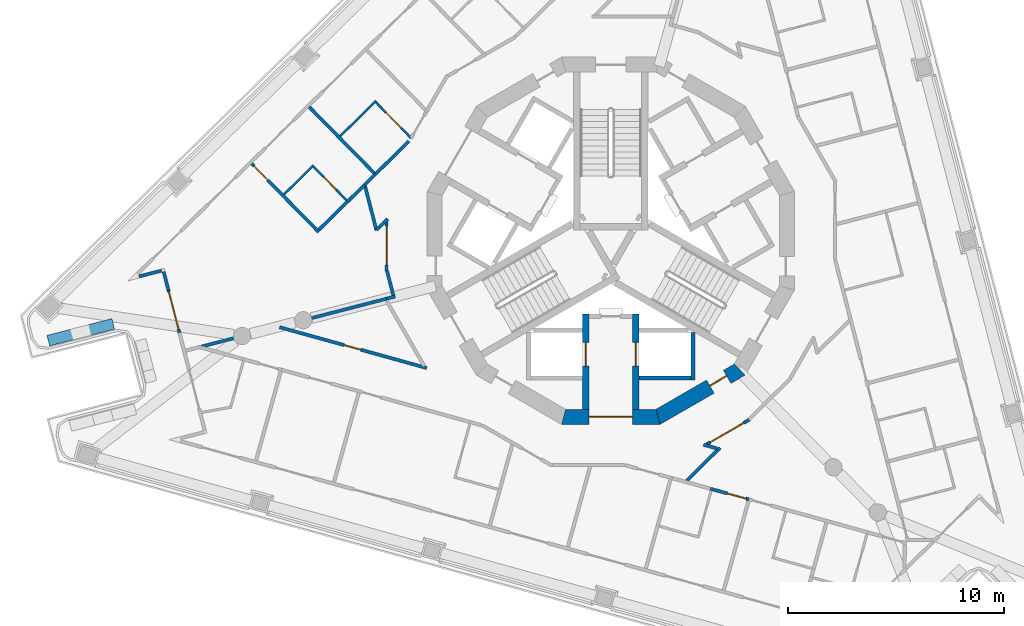
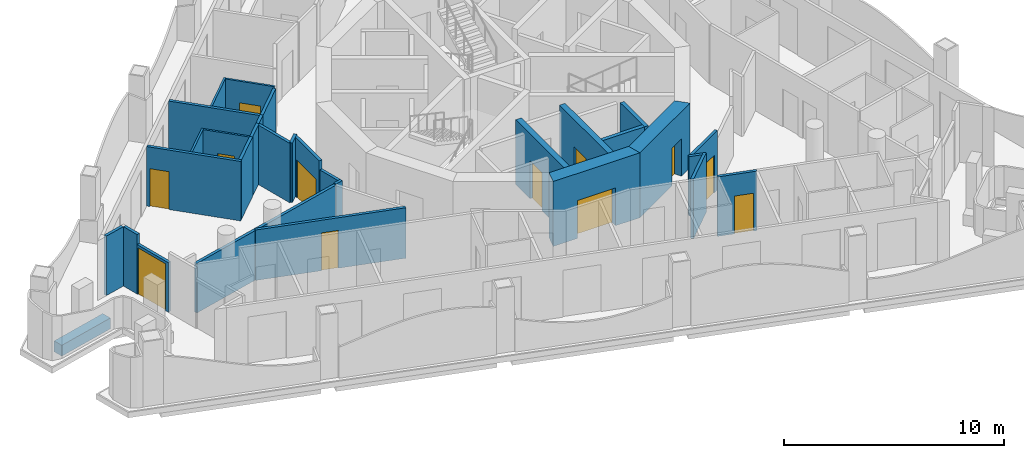
# One storey, part 3 of 14: 31 walls, 12 doors, 12 openings.
"""IFC4 building model written with IfcOpenShell, lengths in metres."""

from ifc_helpers import new_model, si_unit, direction, frame, frame_2d, origin, place, context, subcontext, project, spatial, polyline, rectangle, outline, extrude, material, layer, layer_set, type_object, element, fill, save


model = new_model("IFC4")

# Units and contexts
model_context = context("Model", 3, precision=1e-05, world=origin(), true_north=direction((0.0, 1.0)))
body_context = subcontext(model_context, "Body", "Model", "MODEL_VIEW")
ifc_project = project(units=[si_unit("LENGTHUNIT", "METRE"), si_unit("AREAUNIT", "SQUARE_METRE"), si_unit("VOLUMEUNIT", "CUBIC_METRE"), si_unit("PLANEANGLEUNIT", "RADIAN"), si_unit("MASSUNIT", "GRAM", prefix="KILO")], contexts=[model_context])

# Site, building, storey
site_placement = place(None, origin())
site = spatial("IfcSite", under=ifc_project, at=site_placement, CompositionType="ELEMENT")
building_placement = place(site_placement, origin())
building = spatial("IfcBuilding", under=site, at=building_placement, Name="Trine Commons Tower", CompositionType="ELEMENT")
storey_placement = place(building_placement, frame((0.0, 0.0, 252.89990234375)))
storey = spatial("IfcBuildingStorey", under=building, at=storey_placement, Name="L66", CompositionType="ELEMENT", Elevation=252.89990234375)

# Wall, opening, door
ifc_material_1 = material(Name="Aluminium-framed insulated wall panel", Category="aluminium")
ifc_layer_1 = layer(ifc_material_1, 0.14990234375)
ifc_layer_set_1 = layer_set([ifc_layer_1], Name="Aluminium-framed insulated wall panel")
wall_type_1 = type_object("IfcWallType", Name="Glazed frame wall 150, EI 60", PredefinedType="SOLIDWALL", material=ifc_layer_set_1)
wall_1_placement = place(storey_placement, frame((60.0390625, 58.2451171875, 0.0), z_axis=(0.0, 0.0, 1.0), x_axis=(-0.250341838346, 0.968157509899, 0.0)))
wall_1 = element("IfcWall", 1, at=wall_1_placement, inside=storey, type_object=wall_type_1, Name="Glazed frame wall P3.4", PredefinedType="SOLIDWALL", context=body_context, shape_type="SweptSolid", body=[
    extrude(outline(polyline([(0.0, -0.074951171875), (2.021484375, -0.074951171875), (2.021484375, 0.074951171875), (0.0, 0.074951171875), (0.0, -0.074951171875)])), origin(), (0.0, 0.0, 1.0), 2.75),
])
opening_1_placement = place(wall_1_placement, frame((0.17138671875, 0.0, 0.0)))
opening_1 = element("IfcOpeningElement", 2, at=opening_1_placement, cuts=wall_1, Name="Opening BD-7P3-02", PredefinedType="OPENING", context=body_context, shape_type="SweptSolid", body=[
    extrude(rectangle(XDim=1.800048828125, YDim=2.60009765625, at=frame_2d((0.89990234375, 1.300048828125))), frame((0.0, 0.0849609375, 0.0), z_axis=(0.0, -1.0, 0.0), x_axis=(1.0, 0.0, 0.0)), (0.0, 0.0, 1.0), 0.169921875),
])
ifc_material_2 = material(Name="Anodised aluminium frame with double glazing", Category="aluminium")
door_type_1 = type_object("IfcDoorType", Name="Sliding loggia door 1800x2600", OperationType="SLIDING_TO_LEFT", PredefinedType="DOOR", material=ifc_material_2)
door_1_placement = place(opening_1_placement, origin())
door_1 = element("IfcDoor", 3, at=door_1_placement, inside=storey, type_object=door_type_1, Name="Loggia door P3 2", OperationType="SLIDING_TO_LEFT", OverallHeight=2.60009765625, OverallWidth=1.800048828125, PredefinedType="DOOR", context=body_context, shape_type="SweptSolid", body=[
    extrude(rectangle(XDim=1.800048828125, YDim=2.60009765625, at=frame_2d((0.89990234375, 1.300048828125))), frame((0.0, 0.02490234375, 0.0), z_axis=(0.0, -1.0, 0.0), x_axis=(1.0, 0.0, 0.0)), (0.0, 0.0, 1.0), 0.050048828125),
])
fill(opening_1, door_1)

# Walls
wall_2_placement = place(storey_placement, frame((59.532958984375, 60.202392578125, 0.0), z_axis=(0.0, 0.0, 1.0), x_axis=(-0.250284169086, 0.968172419926, 0.0)))
element("IfcWall", 4, at=wall_2_placement, inside=storey, type_object=wall_type_1, Name="Glazed frame wall P3.5", PredefinedType="SOLIDWALL", context=body_context, shape_type="SweptSolid", body=[
    extrude(outline(polyline([(0.889892578125, 0.074951171875), (0.0, 0.074951171875), (0.0, -0.074951171875), (0.889892578125, -0.074951171875), (0.889892578125, 0.074951171875)])), origin(), (0.0, 0.0, 1.0), 3.300048828125),
])
wall_3_placement = place(storey_placement, frame((59.3251953125, 61.145263671875, 0.0), z_axis=(0.0, 0.0, 1.0), x_axis=(-0.968156774456, -0.250344682538, 0.0)))
element("IfcWall", 5, at=wall_3_placement, inside=storey, type_object=wall_type_1, Name="Glazed frame wall R12", PredefinedType="SOLIDWALL", context=body_context, shape_type="SweptSolid", body=[
    extrude(outline(polyline([(0.110107421875, 0.074951171875), (0.110107421875, -0.074951171875), (1.19580078125, -0.074951171875), (1.19580078125, 0.074951171875), (0.110107421875, 0.074951171875)])), origin(), (0.0, 0.0, 1.0), 3.300048828125),
])
ifc_material_3 = material(Name="Planter trough, precast concrete C40/50", Category="concrete")
ifc_layer_2 = layer(ifc_material_3, 0.5)
ifc_layer_set_2 = layer_set([ifc_layer_2], Name="Planter trough, precast concrete C40/50")
wall_type_2 = type_object("IfcWallType", Name="Planter trough 500x600", PredefinedType="PARAPET", material=ifc_layer_set_2)
wall_4_placement = place(storey_placement, frame((56.974609375, 58.65234375, 0.0), z_axis=(0.0, 0.0, 1.0), x_axis=(-0.968151190511, -0.250366276306, 0.0)))
element("IfcWall", 6, at=wall_4_placement, inside=storey, type_object=wall_type_2, Name="Planter 3", PredefinedType="PARAPET", context=body_context, shape_type="SweptSolid", body=[
    extrude(rectangle(XDim=3.099853515625, YDim=0.5, at=frame_2d((1.5498046875, 0.0))), origin(), (0.0, 0.0, 1.0), 0.60009765625),
])

# Wall, opening, door
ifc_material_4 = material(Name="Concrete C50/60", Category="concrete")
ifc_layer_3 = layer(ifc_material_4, 0.300048828125)
ifc_layer_set_3 = layer_set([ifc_layer_3], Name="Concrete C50/60")
wall_type_3 = type_object("IfcWallType", Name="RC shear wall 300 mm, C50/60", PredefinedType="SHEAR", material=ifc_layer_set_3)
wall_5_placement = place(storey_placement, frame((78.85009765625, 59.10009765625, 0.0), z_axis=(0.0, 0.0, 1.0), x_axis=(0.0, -1.0, 0.0)))
wall_5 = element("IfcWall", 7, at=wall_5_placement, inside=storey, type_object=wall_type_3, Name="Core cross wall SWC-03 L66", PredefinedType="SHEAR", context=body_context, shape_type="SweptSolid", body=[
    extrude(rectangle(XDim=4.400146484375, YDim=0.300048828125, at=frame_2d((2.2001953125, 0.0))), origin(), (0.0, 0.0, 1.0), 3.60009765625),
])
opening_2_placement = place(wall_5_placement, frame((1.300048828125, 0.0, 0.0)))
opening_2 = element("IfcOpeningElement", 8, at=opening_2_placement, cuts=wall_5, Name="Opening LD10", PredefinedType="OPENING", context=body_context, shape_type="SweptSolid", body=[
    extrude(rectangle(XDim=1.10009765625, YDim=2.10009765625, at=frame_2d((0.550048828125, 1.050048828125))), frame((0.0, 0.159912109375, 0.0), z_axis=(0.0, -1.0, 0.0), x_axis=(1.0, 0.0, 0.0)), (0.0, 0.0, 1.0), 0.320068359375),
])
ifc_material_5 = material(Name="Stainless steel sliding door leaves", Category="steel")
door_type_2 = type_object("IfcDoorType", Name="Lift landing door, centre-opening sliding 1100 x 2100, FD90", OperationType="DOUBLE_DOOR_SLIDING", PredefinedType="DOOR", material=ifc_material_5)
door_2_placement = place(opening_2_placement, origin())
door_2 = element("IfcDoor", 9, at=door_2_placement, inside=storey, type_object=door_type_2, Name="Lift landing door FF2 L66", OperationType="DOUBLE_DOOR_SLIDING", OverallHeight=2.10009765625, OverallWidth=1.10009765625, PredefinedType="DOOR", context=body_context, shape_type="SweptSolid", body=[
    extrude(rectangle(XDim=1.10009765625, YDim=2.10009765625, at=frame_2d((0.550048828125, 1.050048828125))), frame((0.0, 0.02490234375, 0.0), z_axis=(0.0, -1.0, 0.0), x_axis=(1.0, 0.0, 0.0)), (0.0, 0.0, 1.0), 0.050048828125),
])
fill(opening_2, door_2)

wall_6_placement = place(storey_placement, frame((81.14990234375, 59.10009765625, 0.0), z_axis=(0.0, 0.0, 1.0), x_axis=(0.0, -1.0, 0.0)))
wall_6 = element("IfcWall", 10, at=wall_6_placement, inside=storey, type_object=wall_type_3, Name="Core cross wall SWC-04 L66", PredefinedType="SHEAR", context=body_context, shape_type="SweptSolid", body=[
    extrude(rectangle(XDim=4.400146484375, YDim=0.300048828125, at=frame_2d((2.2001953125, 0.0))), origin(), (0.0, 0.0, 1.0), 3.60009765625),
])
opening_3_placement = place(wall_6_placement, frame((1.300048828125, 0.0, 0.0)))
opening_3 = element("IfcOpeningElement", 11, at=opening_3_placement, cuts=wall_6, Name="Opening LD9", PredefinedType="OPENING", context=body_context, shape_type="SweptSolid", body=[
    extrude(rectangle(XDim=1.10009765625, YDim=2.10009765625, at=frame_2d((0.550048828125, 1.050048828125))), frame((0.0, 0.159912109375, 0.0), z_axis=(0.0, -1.0, 0.0), x_axis=(1.0, 0.0, 0.0)), (0.0, 0.0, 1.0), 0.320068359375),
])
door_3_placement = place(opening_3_placement, origin())
door_3 = element("IfcDoor", 12, at=door_3_placement, inside=storey, type_object=door_type_2, Name="Lift landing door FF1 L66", OperationType="DOUBLE_DOOR_SLIDING", OverallHeight=2.10009765625, OverallWidth=1.10009765625, PredefinedType="DOOR", context=body_context, shape_type="SweptSolid", body=[
    extrude(rectangle(XDim=1.10009765625, YDim=2.10009765625, at=frame_2d((0.550048828125, 1.050048828125))), frame((0.0, 0.02490234375, 0.0), z_axis=(0.0, -1.0, 0.0), x_axis=(1.0, 0.0, 0.0)), (0.0, 0.0, 1.0), 0.050048828125),
])
fill(opening_3, door_3)

ifc_layer_4 = layer(ifc_material_4, 0.699951171875)
ifc_layer_set_4 = layer_set([ifc_layer_4], Name="Concrete C50/60")
wall_type_4 = type_object("IfcWallType", Name="RC shear wall 700 mm, C50/60", PredefinedType="SHEAR", material=ifc_layer_set_4)
wall_7_placement = place(storey_placement, frame((77.722412109375, 54.349853515625, 0.0), z_axis=(0.0, 0.0, 1.0), x_axis=(1.0, 0.0, 0.0)))
wall_7 = element("IfcWall", 13, at=wall_7_placement, inside=storey, type_object=wall_type_4, Name="Core wall CWG-10 L66", PredefinedType="SHEAR", context=body_context, shape_type="SweptSolid", body=[
    extrude(outline(polyline([(0.0, -0.35009765625), (4.55517578125, -0.35009765625), (4.36767578125, 0.35009765625), (0.1875, 0.35009765625), (0.0, -0.35009765625)])), origin(), (0.0, 0.0, 1.0), 3.60009765625),
])
opening_4_placement = place(wall_7_placement, frame((1.277587890625, 0.0, 0.0)))
opening_4 = element("IfcOpeningElement", 14, at=opening_4_placement, cuts=wall_7, Name="Opening K16.08", PredefinedType="OPENING", context=body_context, shape_type="SweptSolid", body=[
    extrude(rectangle(XDim=2.0, YDim=2.10009765625, at=frame_2d((1.0, 1.050048828125))), frame((0.0, 0.35986328125, 0.0), z_axis=(0.0, -1.0, 0.0), x_axis=(1.0, 0.0, 0.0)), (0.0, 0.0, 1.0), 0.719970703125),
])
ifc_material_6 = material(Name="Steel door leaves, fire-rated", Category="steel")
door_type_3 = type_object("IfcDoorType", Name="Lobby door, double leaf 2000 x 2100, FD60", OperationType="DOUBLE_DOOR_SINGLE_SWING", PredefinedType="DOOR", material=ifc_material_6)
door_4_placement = place(opening_4_placement, origin())
door_4 = element("IfcDoor", 15, at=door_4_placement, inside=storey, type_object=door_type_3, Name="Lobby door, Service and firefighting lobby L66", OperationType="DOUBLE_DOOR_SINGLE_SWING", OverallHeight=2.10009765625, OverallWidth=2.0, PredefinedType="DOOR", context=body_context, shape_type="SweptSolid", body=[
    extrude(rectangle(XDim=2.0, YDim=2.10009765625, at=frame_2d((1.0, 1.050048828125))), frame((0.0, 0.02490234375, 0.0), z_axis=(0.0, -1.0, 0.0), x_axis=(1.0, 0.0, 0.0)), (0.0, 0.0, 1.0), 0.050048828125),
])
fill(opening_4, door_4)

wall_8_placement = place(storey_placement, frame((82.1025390625, 54.302978515625, 0.0), z_axis=(0.0, 0.0, 1.0), x_axis=(0.866034756103, 0.499983800959, 0.0)))
wall_8 = element("IfcWall", 16, at=wall_8_placement, inside=storey, type_object=wall_type_4, Name="Core wall CWG-11 L66", PredefinedType="SHEAR", context=body_context, shape_type="SweptSolid", body=[
    extrude(outline(polyline([(0.0, -0.35009765625), (4.55517578125, -0.35009765625), (4.36767578125, 0.35009765625), (0.1875, 0.35009765625), (0.0, -0.35009765625)])), origin(), (0.0, 0.0, 1.0), 3.60009765625),
])
opening_5_placement = place(wall_8_placement, frame((2.891845703125, 0.0, 0.0)))
opening_5 = element("IfcOpeningElement", 17, at=opening_5_placement, cuts=wall_8, Name="Opening K16.16", PredefinedType="OPENING", context=body_context, shape_type="SweptSolid", body=[
    extrude(rectangle(XDim=0.89990234375, YDim=2.10009765625, at=frame_2d((0.449951171875, 1.050048828125))), frame((0.0, 0.35986328125, 0.0), z_axis=(0.0, -1.0, 0.0), x_axis=(1.0, 0.0, 0.0)), (0.0, 0.0, 1.0), 0.719970703125),
])
ifc_material_7 = material(Name="Steel door leaf, fire-rated", Category="steel")
door_type_4 = type_object("IfcDoorType", Name="Core room door, single leaf 900 x 2100, FD30S", OperationType="SINGLE_SWING_LEFT", PredefinedType="DOOR", material=ifc_material_7)
door_5_placement = place(opening_5_placement, origin())
door_5 = element("IfcDoor", 18, at=door_5_placement, inside=storey, type_object=door_type_4, Name="Door to Core WC L66", OperationType="SINGLE_SWING_RIGHT", OverallHeight=2.10009765625, OverallWidth=0.89990234375, PredefinedType="DOOR", context=body_context, shape_type="SweptSolid", body=[
    extrude(rectangle(XDim=0.89990234375, YDim=2.10009765625, at=frame_2d((0.449951171875, 1.050048828125))), frame((0.0, 0.0751953125, 0.0), z_axis=(0.0, -1.0, 0.0), x_axis=(1.0, 0.0, 0.0)), (0.0, 0.0, 1.0), 0.050048828125),
])
fill(opening_5, door_5)

# Walls
ifc_material_8 = material(Name="Fire-rated gypsum shaft wall system")
ifc_layer_5 = layer(ifc_material_8, 0.199951171875)
ifc_layer_set_5 = layer_set([ifc_layer_5], Name="Fire-rated gypsum shaft wall system")
wall_type_5 = type_object("IfcWallType", Name="Shaft wall 200 mm, EI 120", PredefinedType="PARTITIONING", material=ifc_layer_set_5)
wall_9_placement = place(storey_placement, frame((81.300048828125, 56.14990234375, 0.0), z_axis=(0.0, 0.0, 1.0), x_axis=(1.0, 0.0, 0.0)))
element("IfcWall", 19, at=wall_9_placement, inside=storey, type_object=wall_type_5, Name="Shaft wall L66", PredefinedType="PARTITIONING", context=body_context, shape_type="SweptSolid", body=[
    extrude(rectangle(XDim=2.39990234375, YDim=0.199951171875, at=frame_2d((1.199951171875, 0.0))), origin(), (0.0, 0.0, 1.0), 3.300048828125),
])
wall_10_placement = place(storey_placement, frame((83.800048828125, 58.257080078125, 0.0), z_axis=(0.0, 0.0, 1.0), x_axis=(0.0, -1.0, 0.0)))
element("IfcWall", 20, at=wall_10_placement, inside=storey, type_object=wall_type_5, Name="Shaft wall L66", PredefinedType="PARTITIONING", context=body_context, shape_type="SweptSolid", body=[
    extrude(rectangle(XDim=2.20703125, YDim=0.199951171875, at=frame_2d((1.103515625, 0.0))), origin(), (0.0, 0.0, 1.0), 3.300048828125),
])
ifc_material_9 = material(Name="Gypsum plasterboard on steel stud", Category="steel")
ifc_layer_6 = layer(ifc_material_9, 0.14990234375)
ifc_layer_set_6 = layer_set([ifc_layer_6], Name="Gypsum plasterboard on steel stud")
wall_type_6 = type_object("IfcWallType", Name="Unit and corridor wall 150 mm, EI 60", PredefinedType="PARTITIONING", material=ifc_layer_set_6)
wall_11_placement = place(storey_placement, frame((61.043701171875, 57.597900390625, 0.0), z_axis=(0.0, 0.0, 1.0), x_axis=(0.968149558091, 0.25037258869, 0.0)))
element("IfcWall", 21, at=wall_11_placement, inside=storey, type_object=wall_type_6, Name="Partition 003", PredefinedType="PARTITIONING", context=body_context, shape_type="SweptSolid", body=[
    extrude(rectangle(XDim=8.86767578125, YDim=0.14990234375, at=frame_2d((4.433837890625, 0.0))), origin(), (0.0, 0.0, 1.0), 2.75),
])

# Wall, opening, door
wall_12_placement = place(storey_placement, frame((63.382080078125, 66.060546875, 0.0), z_axis=(0.0, 0.0, 1.0), x_axis=(0.700914144597, -0.713245653267, 0.0)))
wall_12 = element("IfcWall", 22, at=wall_12_placement, inside=storey, type_object=wall_type_6, Name="Partition 007", PredefinedType="PARTITIONING", context=body_context, shape_type="SweptSolid", body=[
    extrude(rectangle(XDim=4.434814453125, YDim=0.14990234375, at=frame_2d((2.21728515625, 0.0))), origin(), (0.0, 0.0, 1.0), 3.300048828125),
])
opening_6_placement = place(wall_12_placement, frame((0.14990234375, 0.0, 0.0)))
opening_6 = element("IfcOpeningElement", 23, at=opening_6_placement, cuts=wall_12, Name="Opening D-7B04", PredefinedType="OPENING", context=body_context, shape_type="SweptSolid", body=[
    extrude(rectangle(XDim=0.89990234375, YDim=2.10009765625, at=frame_2d((0.449951171875, 1.050048828125))), frame((0.0, 0.0849609375, 0.0), z_axis=(0.0, -1.0, 0.0), x_axis=(1.0, 0.0, 0.0)), (0.0, 0.0, 1.0), 0.169921875),
])
ifc_material_10 = material(Name="Timber fire door set", Category="wood")
door_type_5 = type_object("IfcDoorType", Name="Bedroom door 900 x 2100, FD30S", OperationType="NOTDEFINED", PredefinedType="DOOR", material=ifc_material_10)
door_6_placement = place(opening_6_placement, origin())
door_6 = element("IfcDoor", 24, at=door_6_placement, inside=storey, type_object=door_type_5, Name="Door D-7B04", OperationType="SINGLE_SWING_LEFT", OverallHeight=2.10009765625, OverallWidth=0.89990234375, PredefinedType="DOOR", context=body_context, shape_type="SweptSolid", body=[
    extrude(rectangle(XDim=0.89990234375, YDim=2.10009765625, at=frame_2d((0.449951171875, 1.050048828125))), frame((0.0, 0.02490234375, 0.0), z_axis=(0.0, -1.0, 0.0), x_axis=(1.0, 0.0, 0.0)), (0.0, 0.0, 1.0), 0.050048828125),
])
fill(opening_6, door_6)

wall_13_placement = place(storey_placement, frame((64.67333984375, 58.498046875, 0.0), z_axis=(0.0, 0.0, 1.0), x_axis=(0.963632187737, -0.267232121491, 0.0)))
wall_13 = element("IfcWall", 25, at=wall_13_placement, inside=storey, type_object=wall_type_6, Name="Partition 009", PredefinedType="PARTITIONING", context=body_context, shape_type="SweptSolid", body=[
    extrude(rectangle(XDim=7.064697265625, YDim=0.14990234375, at=frame_2d((3.5322265625, 0.0))), origin(), (0.0, 0.0, 1.0), 2.800048828125),
])
opening_7_placement = place(wall_13_placement, frame((3.094970703125, 0.0, 0.0)))
opening_7 = element("IfcOpeningElement", 26, at=opening_7_placement, cuts=wall_13, Name="Opening D-7B24", PredefinedType="OPENING", context=body_context, shape_type="SweptSolid", body=[
    extrude(rectangle(XDim=0.800048828125, YDim=2.10009765625, at=frame_2d((0.39990234375, 1.050048828125))), frame((0.0, 0.0849609375, 0.0), z_axis=(0.0, -1.0, 0.0), x_axis=(1.0, 0.0, 0.0)), (0.0, 0.0, 1.0), 0.169921875),
])
ifc_material_11 = material(Name="Painted timber", Category="wood")
door_type_6 = type_object("IfcDoorType", Name="Toilet door 800 x 2100, NOT RATED", OperationType="NOTDEFINED", PredefinedType="DOOR", material=ifc_material_11)
door_7_placement = place(opening_7_placement, origin())
door_7 = element("IfcDoor", 27, at=door_7_placement, inside=storey, type_object=door_type_6, Name="Door D-7B24", OperationType="SINGLE_SWING_LEFT", OverallHeight=2.10009765625, OverallWidth=0.800048828125, PredefinedType="DOOR", context=body_context, shape_type="SweptSolid", body=[
    extrude(rectangle(XDim=0.800048828125, YDim=2.10009765625, at=frame_2d((0.39990234375, 1.050048828125))), frame((0.0, 0.02490234375, 0.0), z_axis=(0.0, -1.0, 0.0), x_axis=(1.0, 0.0, 0.0)), (0.0, 0.0, 1.0), 0.050048828125),
])
fill(opening_7, door_7)

# Walls
wall_14_placement = place(storey_placement, frame((66.051025390625, 68.6845703125, 0.0), z_axis=(0.0, 0.0, 1.0), x_axis=(0.700808262034, -0.713349689748, 0.0)))
element("IfcWall", 28, at=wall_14_placement, inside=storey, type_object=wall_type_6, Name="Partition 012", PredefinedType="PARTITIONING", context=body_context, shape_type="SweptSolid", body=[
    extrude(rectangle(XDim=4.360595703125, YDim=0.14990234375, at=frame_2d((2.18017578125, 0.0))), origin(), (0.0, 0.0, 1.0), 3.300048828125),
])
wall_15_placement = place(storey_placement, frame((66.491455078125, 63.003662109375, 0.0), z_axis=(0.0, 0.0, 1.0), x_axis=(0.713284232258, 0.700874884706, 0.0)))
element("IfcWall", 29, at=wall_15_placement, inside=storey, type_object=wall_type_6, Name="Partition 014", PredefinedType="PARTITIONING", context=body_context, shape_type="SweptSolid", body=[
    extrude(rectangle(XDim=1.927978515625, YDim=0.14990234375, at=frame_2d((0.9638671875, 0.0))), origin(), (0.0, 0.0, 1.0), 3.300048828125),
])
wall_16_placement = place(storey_placement, frame((67.825927734375, 64.31494140625, 0.0), z_axis=(0.0, 0.0, 1.0), x_axis=(0.71293534272, 0.701229774825, 0.0)))
element("IfcWall", 30, at=wall_16_placement, inside=storey, type_object=wall_type_6, Name="Partition 017", PredefinedType="PARTITIONING", context=body_context, shape_type="SweptSolid", body=[
    extrude(rectangle(XDim=1.10546875, YDim=0.14990234375, at=frame_2d((0.552734375, 0.0))), origin(), (0.0, 0.0, 1.0), 3.300048828125),
])
wall_17_placement = place(storey_placement, frame((68.630859375, 65.016357421875, 0.0), z_axis=(0.0, 0.0, 1.0), x_axis=(0.250220542644, -0.968188865893, 0.0)))
element("IfcWall", 31, at=wall_17_placement, inside=storey, type_object=wall_type_6, Name="Partition 018", PredefinedType="PARTITIONING", context=body_context, shape_type="SweptSolid", body=[
    extrude(rectangle(XDim=2.0908203125, YDim=0.14990234375, at=frame_2d((1.04541015625, 0.0))), origin(), (0.0, 0.0, 1.0), 3.300048828125),
])
wall_18_placement = place(storey_placement, frame((68.612060546875, 65.091064453125, 0.0), z_axis=(0.0, 0.0, 1.0), x_axis=(0.712699057128, 0.701469923781, 0.0)))
element("IfcWall", 32, at=wall_18_placement, inside=storey, type_object=wall_type_6, Name="Partition 019", PredefinedType="PARTITIONING", context=body_context, shape_type="SweptSolid", body=[
    extrude(rectangle(XDim=0.69580078125, YDim=0.14990234375, at=frame_2d((0.347900390625, 0.0))), origin(), (0.0, 0.0, 1.0), 3.300048828125),
])
wall_19_placement = place(storey_placement, frame((69.10205078125, 65.572998046875, 0.0), z_axis=(0.0, 0.0, 1.0), x_axis=(0.713007842216, 0.701156057478, 0.0)))
element("IfcWall", 33, at=wall_19_placement, inside=storey, type_object=wall_type_6, Name="Partition 022", PredefinedType="PARTITIONING", context=body_context, shape_type="SweptSolid", body=[
    extrude(rectangle(XDim=2.18359375, YDim=0.14990234375, at=frame_2d((1.091796875, 0.0))), origin(), (0.0, 0.0, 1.0), 3.300048828125),
])
wall_20_placement = place(storey_placement, frame((69.157958984375, 62.991943359375, 0.0), z_axis=(0.0, 0.0, 1.0), x_axis=(0.712433157826, 0.701739977221, 0.0)))
element("IfcWall", 34, at=wall_20_placement, inside=storey, type_object=wall_type_6, Name="Partition 023", PredefinedType="PARTITIONING", context=body_context, shape_type="SweptSolid", body=[
    extrude(rectangle(XDim=0.730712890625, YDim=0.14990234375, at=frame_2d((0.365234375, 0.0))), origin(), (0.0, 0.0, 1.0), 3.300048828125),
])
wall_21_placement = place(storey_placement, frame((69.625, 59.81689453125, 0.0), z_axis=(0.0, 0.0, 1.0), x_axis=(0.968355193071, 0.249576080688, 0.0)))
element("IfcWall", 35, at=wall_21_placement, inside=storey, type_object=wall_type_6, Name="Partition 025", PredefinedType="PARTITIONING", context=body_context, shape_type="SweptSolid", body=[
    extrude(rectangle(XDim=0.415771484375, YDim=0.14990234375, at=frame_2d((0.2080078125, 0.0))), origin(), (0.0, 0.0, 1.0), 2.800048828125),
])

# Wall, opening, door
wall_22_placement = place(storey_placement, frame((69.625, 61.10498046875, 0.0), z_axis=(0.0, 0.0, 1.0), x_axis=(0.0, 1.0, 0.0)))
wall_22 = element("IfcWall", 36, at=wall_22_placement, inside=storey, type_object=wall_type_6, Name="Partition 026", PredefinedType="PARTITIONING", context=body_context, shape_type="SweptSolid", body=[
    extrude(rectangle(XDim=2.27197265625, YDim=0.14990234375, at=frame_2d((1.135986328125, 0.0))), origin(), (0.0, 0.0, 1.0), 3.300048828125),
])
opening_8_placement = place(wall_22_placement, frame((0.28271484375, 0.0, 0.0)))
opening_8 = element("IfcOpeningElement", 37, at=opening_8_placement, cuts=wall_22, Name="Opening D-7B03", PredefinedType="OPENING", context=body_context, shape_type="SweptSolid", body=[
    extrude(rectangle(XDim=1.800048828125, YDim=2.10009765625, at=frame_2d((0.89990234375, 1.050048828125))), frame((0.0, 0.0849609375, 0.0), z_axis=(0.0, -1.0, 0.0), x_axis=(1.0, 0.0, 0.0)), (0.0, 0.0, 1.0), 0.169921875),
])
door_type_7 = type_object("IfcDoorType", Name="Cluster entrance door 1800 x 2100, double leaf, FD30S", OperationType="DOUBLE_DOOR_DOUBLE_SWING", PredefinedType="DOOR", material=ifc_material_10)
door_8_placement = place(opening_8_placement, origin())
door_8 = element("IfcDoor", 38, at=door_8_placement, inside=storey, type_object=door_type_7, Name="Door D-7B03", OperationType="DOUBLE_DOOR_DOUBLE_SWING", OverallHeight=2.10009765625, OverallWidth=1.800048828125, PredefinedType="DOOR", context=body_context, shape_type="SweptSolid", body=[
    extrude(rectangle(XDim=1.800048828125, YDim=2.10009765625, at=frame_2d((0.89990234375, 1.050048828125))), frame((0.0, 0.02490234375, 0.0), z_axis=(0.0, -1.0, 0.0), x_axis=(1.0, 0.0, 0.0)), (0.0, 0.0, 1.0), 0.050048828125),
])
fill(opening_8, door_8)

# Walls
wall_23_placement = place(storey_placement, frame((69.643798828125, 61.107421875, 0.0), z_axis=(0.0, 0.0, 1.0), x_axis=(0.249991617467, -0.968248000874, 0.0)))
element("IfcWall", 39, at=wall_23_placement, inside=storey, type_object=wall_type_6, Name="Partition 027", PredefinedType="PARTITIONING", context=body_context, shape_type="SweptSolid", body=[
    extrude(rectangle(XDim=1.169921875, YDim=0.14990234375, at=frame_2d((0.5849609375, 0.0))), origin(), (0.0, 0.0, 1.0), 2.800048828125),
])
wall_24_placement = place(storey_placement, frame((83.506591796875, 51.3955078125, 0.0), z_axis=(0.0, 0.0, 1.0), x_axis=(0.712824796749, 0.701342148412, 0.0)))
element("IfcWall", 40, at=wall_24_placement, inside=storey, type_object=wall_type_6, Name="Partition 059", PredefinedType="PARTITIONING", context=body_context, shape_type="SweptSolid", body=[
    extrude(rectangle(XDim=2.168701171875, YDim=0.14990234375, at=frame_2d((1.08447265625, 0.0))), origin(), (0.0, 0.0, 1.0), 3.300048828125),
])
wall_25_placement = place(storey_placement, frame((84.290771484375, 53.058837890625, 0.0), z_axis=(0.0, 0.0, 1.0), x_axis=(0.964146228047, -0.265371533785, 0.0)))
element("IfcWall", 41, at=wall_25_placement, inside=storey, type_object=wall_type_6, Name="Partition 063", PredefinedType="PARTITIONING", context=body_context, shape_type="SweptSolid", body=[
    extrude(rectangle(XDim=0.65966796875, YDim=0.14990234375, at=frame_2d((0.329833984375, 0.0))), origin(), (0.0, 0.0, 1.0), 3.300048828125),
])

# Wall, opening, door
wall_26_placement = place(storey_placement, frame((84.427978515625, 53.076416015625, 0.0), z_axis=(0.0, 0.0, 1.0), x_axis=(0.866072877359, 0.499917764341, 0.0)))
wall_26 = element("IfcWall", 42, at=wall_26_placement, inside=storey, type_object=wall_type_6, Name="Partition 064", PredefinedType="PARTITIONING", context=body_context, shape_type="SweptSolid", body=[
    extrude(rectangle(XDim=2.2724609375, YDim=0.14990234375, at=frame_2d((1.13623046875, 0.0))), origin(), (0.0, 0.0, 1.0), 3.300048828125),
])
opening_9_placement = place(wall_26_placement, frame((0.188720703125, 0.0, 0.0)))
opening_9 = element("IfcOpeningElement", 43, at=opening_9_placement, cuts=wall_26, Name="Opening D-7B02", PredefinedType="OPENING", context=body_context, shape_type="SweptSolid", body=[
    extrude(rectangle(XDim=1.800048828125, YDim=2.10009765625, at=frame_2d((0.89990234375, 1.050048828125))), frame((0.0, 0.0849609375, 0.0), z_axis=(0.0, -1.0, 0.0), x_axis=(1.0, 0.0, 0.0)), (0.0, 0.0, 1.0), 0.169921875),
])
door_9_placement = place(opening_9_placement, frame((1.800048828125, 0.0, 0.0), z_axis=(0.0, 0.0, 1.0), x_axis=(-1.0, 0.0, 0.0)))
door_9 = element("IfcDoor", 44, at=door_9_placement, inside=storey, type_object=door_type_7, Name="Door D-7B02", OperationType="DOUBLE_DOOR_DOUBLE_SWING", OverallHeight=2.10009765625, OverallWidth=1.800048828125, PredefinedType="DOOR", context=body_context, shape_type="SweptSolid", body=[
    extrude(rectangle(XDim=1.800048828125, YDim=2.10009765625, at=frame_2d((0.89990234375, 1.050048828125))), frame((0.0, 0.02490234375, 0.0), z_axis=(0.0, -1.0, 0.0), x_axis=(1.0, 0.0, 0.0)), (0.0, 0.0, 1.0), 0.050048828125),
])
fill(opening_9, door_9)

wall_27_placement = place(storey_placement, frame((84.61083984375, 51.0224609375, 0.0), z_axis=(0.0, 0.0, 1.0), x_axis=(0.963673001046, -0.267084906077, 0.0)))
wall_27 = element("IfcWall", 45, at=wall_27_placement, inside=storey, type_object=wall_type_6, Name="Partition 065", PredefinedType="PARTITIONING", context=body_context, shape_type="SweptSolid", body=[
    extrude(rectangle(XDim=1.847412109375, YDim=0.14990234375, at=frame_2d((0.923828125, 0.0))), origin(), (0.0, 0.0, 1.0), 3.300048828125),
])
opening_10_placement = place(wall_27_placement, frame((0.79736328125, 0.0, 0.0)))
opening_10 = element("IfcOpeningElement", 46, at=opening_10_placement, cuts=wall_27, Name="Opening D-7B18", PredefinedType="OPENING", context=body_context, shape_type="SweptSolid", body=[
    extrude(rectangle(XDim=0.89990234375, YDim=2.10009765625, at=frame_2d((0.449951171875, 1.050048828125))), frame((0.0, 0.0849609375, 0.0), z_axis=(0.0, -1.0, 0.0), x_axis=(1.0, 0.0, 0.0)), (0.0, 0.0, 1.0), 0.169921875),
])
door_10_placement = place(opening_10_placement, frame((0.89990234375, 0.0, 0.0), z_axis=(0.0, 0.0, 1.0), x_axis=(-1.0, 0.0, 0.0)))
door_10 = element("IfcDoor", 47, at=door_10_placement, inside=storey, type_object=door_type_5, Name="Door D-7B18", OperationType="SINGLE_SWING_LEFT", OverallHeight=2.10009765625, OverallWidth=0.89990234375, PredefinedType="DOOR", context=body_context, shape_type="SweptSolid", body=[
    extrude(rectangle(XDim=0.89990234375, YDim=2.10009765625, at=frame_2d((0.449951171875, 1.050048828125))), frame((0.0, 0.02490234375, 0.0), z_axis=(0.0, -1.0, 0.0), x_axis=(1.0, 0.0, 0.0)), (0.0, 0.0, 1.0), 0.050048828125),
])
fill(opening_10, door_10)

# Wall
ifc_layer_7 = layer(ifc_material_9, 0.10009765625)
ifc_layer_set_7 = layer_set([ifc_layer_7], Name="Gypsum plasterboard on steel stud")
wall_type_7 = type_object("IfcWallType", Name="Unit partition 100 mm, no rating", PredefinedType="PARTITIONING", material=ifc_layer_set_7)
wall_28_placement = place(storey_placement, frame((64.87841796875, 64.6435546875, 0.0), z_axis=(0.0, 0.0, 1.0), x_axis=(0.713293055377, 0.700865905257, 0.0)))
element("IfcWall", 48, at=wall_28_placement, inside=storey, type_object=wall_type_7, Name="Partition 011", PredefinedType="PARTITIONING", context=body_context, shape_type="SweptSolid", body=[
    extrude(rectangle(XDim=1.92529296875, YDim=0.10009765625, at=frame_2d((0.962646484375, 0.0))), origin(), (0.0, 0.0, 1.0), 3.300048828125),
])

# Wall, opening, door
wall_29_placement = place(storey_placement, frame((66.2509765625, 65.92236328125, 0.0), z_axis=(0.0, 0.0, 1.0), x_axis=(0.701018173636, -0.713143407901, 0.0)))
wall_29 = element("IfcWall", 49, at=wall_29_placement, inside=storey, type_object=wall_type_7, Name="Partition 013", PredefinedType="PARTITIONING", context=body_context, shape_type="SweptSolid", body=[
    extrude(rectangle(XDim=2.174560546875, YDim=0.10009765625, at=frame_2d((1.08740234375, 0.0))), origin(), (0.0, 0.0, 1.0), 3.300048828125),
])
opening_11_placement = place(wall_29_placement, frame((0.687255859375, 0.0, 0.0)))
opening_11 = element("IfcOpeningElement", 50, at=opening_11_placement, cuts=wall_29, Name="Opening D-7B26", PredefinedType="OPENING", context=body_context, shape_type="SweptSolid", body=[
    extrude(rectangle(XDim=0.800048828125, YDim=2.10009765625, at=frame_2d((0.39990234375, 1.050048828125))), frame((0.0, 0.06005859375, 0.0), z_axis=(0.0, -1.0, 0.0), x_axis=(1.0, 0.0, 0.0)), (0.0, 0.0, 1.0), 0.1201171875),
])
door_type_8 = type_object("IfcDoorType", Name="Internal door 800 x 2100, NOT RATED", OperationType="NOTDEFINED", PredefinedType="DOOR", material=ifc_material_11)
door_11_placement = place(opening_11_placement, origin())
door_11 = element("IfcDoor", 51, at=door_11_placement, inside=storey, type_object=door_type_8, Name="Door D-7B26", OperationType="SINGLE_SWING_LEFT", OverallHeight=2.10009765625, OverallWidth=0.800048828125, PredefinedType="DOOR", context=body_context, shape_type="SweptSolid", body=[
    extrude(rectangle(XDim=0.800048828125, YDim=2.10009765625, at=frame_2d((0.39990234375, 1.050048828125))), frame((0.0, 0.02490234375, 0.0), z_axis=(0.0, -1.0, 0.0), x_axis=(1.0, 0.0, 0.0)), (0.0, 0.0, 1.0), 0.050048828125),
])
fill(opening_11, door_11)

# Wall
wall_30_placement = place(storey_placement, frame((67.478515625, 67.338623046875, 0.0), z_axis=(0.0, 0.0, 1.0), x_axis=(0.713275639023, 0.700883629982, 0.0)))
element("IfcWall", 52, at=wall_30_placement, inside=storey, type_object=wall_type_7, Name="Partition 016", PredefinedType="PARTITIONING", context=body_context, shape_type="SweptSolid", body=[
    extrude(rectangle(XDim=2.32470703125, YDim=0.10009765625, at=frame_2d((1.162353515625, 0.0))), origin(), (0.0, 0.0, 1.0), 3.300048828125),
])

# Wall, opening, door
wall_31_placement = place(storey_placement, frame((69.135986328125, 68.8974609375, 0.0), z_axis=(0.0, 0.0, 1.0), x_axis=(0.701179250169, -0.712985034297, 0.0)))
wall_31 = element("IfcWall", 53, at=wall_31_placement, inside=storey, type_object=wall_type_7, Name="Partition 021", PredefinedType="PARTITIONING", context=body_context, shape_type="SweptSolid", body=[
    extrude(rectangle(XDim=2.316162109375, YDim=0.10009765625, at=frame_2d((1.158203125, 0.0))), origin(), (0.0, 0.0, 1.0), 3.300048828125),
])
opening_12_placement = place(wall_31_placement, frame((0.657958984375, 0.0, 0.0)))
opening_12 = element("IfcOpeningElement", 54, at=opening_12_placement, cuts=wall_31, Name="Opening D-7B27", PredefinedType="OPENING", context=body_context, shape_type="SweptSolid", body=[
    extrude(rectangle(XDim=1.0, YDim=2.10009765625, at=frame_2d((0.5, 1.050048828125))), frame((0.0, 0.06005859375, 0.0), z_axis=(0.0, -1.0, 0.0), x_axis=(1.0, 0.0, 0.0)), (0.0, 0.0, 1.0), 0.1201171875),
])
door_type_9 = type_object("IfcDoorType", Name="Internal door 1000 x 2100, NOT RATED", OperationType="NOTDEFINED", PredefinedType="DOOR", material=ifc_material_11)
door_12_placement = place(opening_12_placement, origin())
door_12 = element("IfcDoor", 55, at=door_12_placement, inside=storey, type_object=door_type_9, Name="Door D-7B27", OperationType="SINGLE_SWING_LEFT", OverallHeight=2.10009765625, OverallWidth=1.0, PredefinedType="DOOR", context=body_context, shape_type="SweptSolid", body=[
    extrude(rectangle(XDim=1.0, YDim=2.10009765625, at=frame_2d((0.5, 1.050048828125))), frame((0.0, 0.02490234375, 0.0), z_axis=(0.0, -1.0, 0.0), x_axis=(1.0, 0.0, 0.0)), (0.0, 0.0, 1.0), 0.050048828125),
])
fill(opening_12, door_12)

save(model, "model.ifc")
